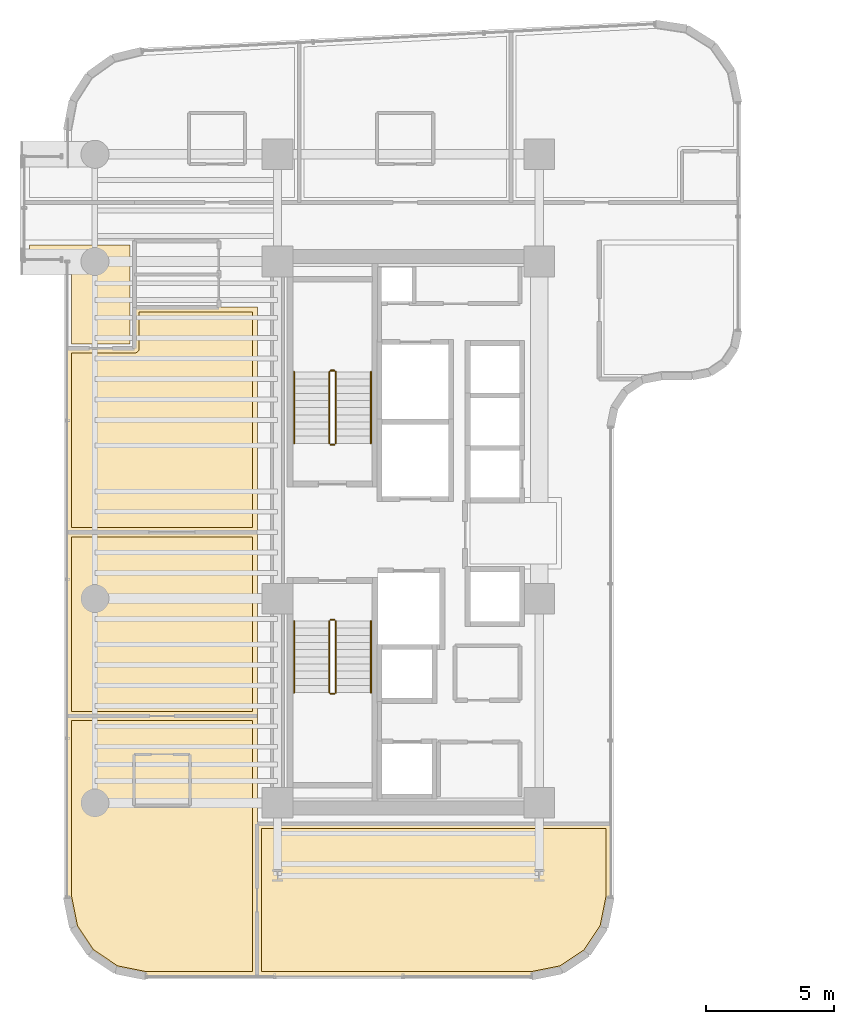
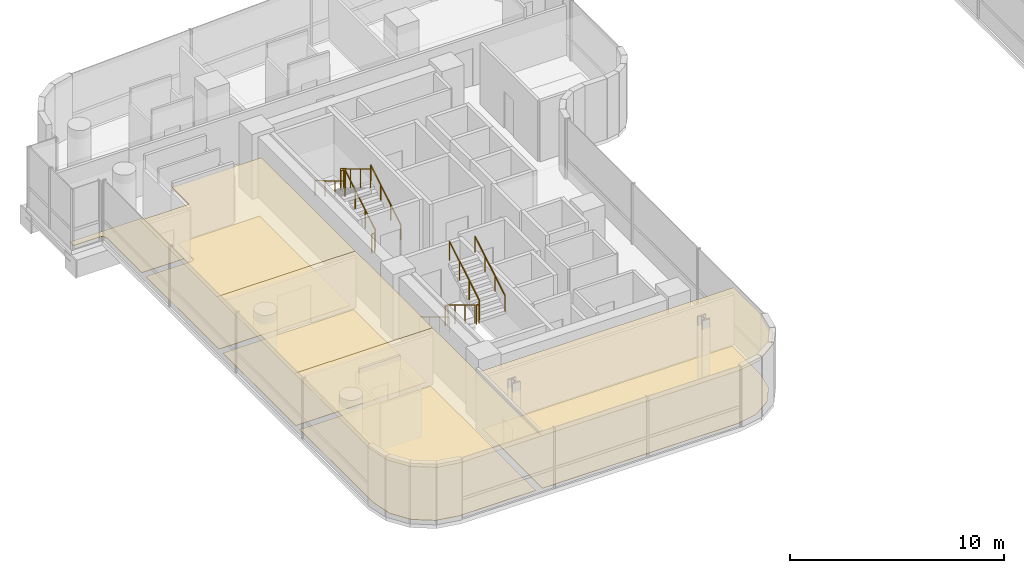
# One storey, part 30 of 33: 12 railings, 9 coverings.
"""IFC4 building model written with IfcOpenShell, lengths in metres."""

from ifc_helpers import new_model, si_unit, direction, frame, origin, origin_2d, place, context, subcontext, project, spatial, polyline, circle, outline, extrude, material, layer, layer_set, type_object, element, save


model = new_model("IFC4")

# Units and contexts
model_context = context("Model", 3, precision=1e-05, world=origin(), true_north=direction((0.0, 1.0)))
body_context = subcontext(model_context, "Body", "Model", "MODEL_VIEW")
ifc_project = project(units=[si_unit("LENGTHUNIT", "METRE"), si_unit("AREAUNIT", "SQUARE_METRE"), si_unit("VOLUMEUNIT", "CUBIC_METRE"), si_unit("PLANEANGLEUNIT", "RADIAN"), si_unit("MASSUNIT", "GRAM", prefix="KILO")], contexts=[model_context])

# Site, building, storey
site_placement = place(None, origin())
site = spatial("IfcSite", under=ifc_project, at=site_placement, CompositionType="ELEMENT")
building_placement = place(site_placement, origin())
building = spatial("IfcBuilding", under=site, at=building_placement, Name="Valdorenza Pilgrim Sanctuary Tower", CompositionType="ELEMENT")
storey_placement = place(building_placement, frame((0.0, 0.0, 157.5)))
storey = spatial("IfcBuildingStorey", under=building, at=storey_placement, Name="L40", CompositionType="ELEMENT", Elevation=157.5)

# Coverings
ifc_material_1 = material(Name="Micro-perforated acoustic mineral ceiling tile", Category="gypsum")
ifc_layer_1 = layer(ifc_material_1, 0.02490234375, Name="Micro-perforated acoustic mineral ceiling tile")
ifc_layer_set_1 = layer_set([ifc_layer_1], Name="Micro-perforated acoustic mineral ceiling tile")
covering_type_1 = type_object("IfcCoveringType", Name="COV-CLG-ACU", PredefinedType="CEILING", material=ifc_layer_set_1)
covering_1_placement = place(storey_placement, frame((0.0, 0.0, 3.159912109375)))
element("IfcCovering", 1, at=covering_1_placement, inside=storey, type_object=covering_type_1, Name="L40 Pilgrim Guest Room L40-CS1 Acoustic Ceiling", PredefinedType="CEILING", context=body_context, shape_type="SweptSolid", body=[
    extrude(outline(polyline([(-23.449951171875, -7.18505859375), (-23.448486328125, -7.18505859375), (-23.447021484375, -7.185302734375), (-23.445556640625, -7.185546875), (-23.4443359375, -7.18603515625), (-23.44287109375, -7.186767578125), (-23.441650390625, -7.1875), (-23.4404296875, -7.1884765625), (-23.439453125, -7.189453125), (-23.4384765625, -7.1904296875), (-23.4375, -7.191650390625), (-23.436767578125, -7.19287109375), (-23.43603515625, -7.1943359375), (-23.435546875, -7.195556640625), (-23.435302734375, -7.197021484375), (-23.43505859375, -7.198486328125), (-23.43505859375, -7.199951171875), (-23.43505859375, -17.389892578125), (-23.43505859375, -17.3916015625), (-23.435302734375, -17.392822265625), (-23.435546875, -17.394287109375), (-23.43603515625, -17.395751953125), (-23.436767578125, -17.397216796875), (-23.4375, -17.398193359375), (-23.4384765625, -17.3994140625), (-23.439453125, -17.400634765625), (-23.4404296875, -17.401611328125), (-23.441650390625, -17.402587890625), (-23.44287109375, -17.4033203125), (-23.4443359375, -17.40380859375), (-23.445556640625, -17.404296875), (-23.447021484375, -17.40478515625), (-23.448486328125, -17.40478515625), (-23.449951171875, -17.405029296875), (-27.789306640625, -17.405029296875), (-27.79052734375, -17.40478515625), (-27.7919921875, -17.40478515625), (-28.984619140625, -17.16748046875), (-28.986083984375, -17.1669921875), (-28.9873046875, -17.16650390625), (-28.98876953125, -17.166015625), (-28.989990234375, -17.165283203125), (-29.99169921875, -16.495849609375), (-29.992919921875, -16.4951171875), (-29.993896484375, -16.493896484375), (-29.9951171875, -16.492919921875), (-29.995849609375, -16.49169921875), (-30.665283203125, -15.489990234375), (-30.666015625, -15.48876953125), (-30.66650390625, -15.4873046875), (-30.6669921875, -15.486083984375), (-30.66748046875, -15.484619140625), (-30.90478515625, -14.2919921875), (-30.90478515625, -14.29052734375), (-30.905029296875, -14.289306640625), (-30.905029296875, -7.199951171875), (-30.90478515625, -7.198486328125), (-30.90478515625, -7.197021484375), (-30.904296875, -7.195556640625), (-30.90380859375, -7.1943359375), (-30.9033203125, -7.19287109375), (-30.902587890625, -7.191650390625), (-30.901611328125, -7.1904296875), (-30.900634765625, -7.189453125), (-30.8994140625, -7.1884765625), (-30.898193359375, -7.1875), (-30.897216796875, -7.186767578125), (-30.895751953125, -7.18603515625), (-30.894287109375, -7.185546875), (-30.892822265625, -7.185302734375), (-30.8916015625, -7.18505859375), (-30.889892578125, -7.18505859375), (-23.449951171875, -7.18505859375)])), origin(), (0.0, 0.0, 1.0), 0.025146484375),
])
covering_2_placement = place(storey_placement, frame((0.0, 0.0, 3.159912109375)))
element("IfcCovering", 2, at=covering_2_placement, inside=storey, type_object=covering_type_1, Name="L40 South Contemplation Salon L40 Acoustic Ceiling", PredefinedType="CEILING", context=body_context, shape_type="SweptSolid", body=[
    extrude(outline(polyline([(-23.43505859375, -7.197998046875), (-23.43505859375, -7.199462890625), (-23.435302734375, -7.200927734375), (-23.435546875, -7.202392578125), (-23.43603515625, -7.20361328125), (-23.436767578125, -7.205078125), (-23.4375, -7.206298828125), (-23.4384765625, -7.20751953125), (-23.439453125, -7.20849609375), (-23.4404296875, -7.209716796875), (-23.441650390625, -7.21044921875), (-23.44287109375, -7.211181640625), (-23.4443359375, -7.2119140625), (-23.445556640625, -7.21240234375), (-23.447021484375, -7.212646484375), (-23.448486328125, -7.212890625), (-23.449951171875, -7.212890625), (-30.889892578125, -7.212890625), (-30.8916015625, -7.212890625), (-30.892822265625, -7.212646484375), (-30.894287109375, -7.21240234375), (-30.895751953125, -7.2119140625), (-30.897216796875, -7.211181640625), (-30.898193359375, -7.21044921875), (-30.8994140625, -7.209716796875), (-30.900634765625, -7.20849609375), (-30.901611328125, -7.20751953125), (-30.902587890625, -7.206298828125), (-30.9033203125, -7.205078125), (-30.90380859375, -7.20361328125), (-30.904296875, -7.202392578125), (-30.90478515625, -7.200927734375), (-30.90478515625, -7.199462890625), (-30.905029296875, -7.197998046875), (-30.905029296875, 0.0), (-30.90478515625, 0.00146484375), (-30.90478515625, 0.0029296875), (-30.904296875, 0.00439453125), (-30.90380859375, 0.005615234375), (-30.9033203125, 0.007080078125), (-30.902587890625, 0.00830078125), (-30.901611328125, 0.009521484375), (-30.900634765625, 0.010498046875), (-30.8994140625, 0.01171875), (-30.898193359375, 0.012451171875), (-30.897216796875, 0.01318359375), (-30.895751953125, 0.013916015625), (-30.894287109375, 0.014404296875), (-30.892822265625, 0.0146484375), (-30.8916015625, 0.014892578125), (-30.889892578125, 0.014892578125), (-23.449951171875, 0.014892578125), (-23.448486328125, 0.014892578125), (-23.447021484375, 0.0146484375), (-23.445556640625, 0.014404296875), (-23.4443359375, 0.013916015625), (-23.44287109375, 0.01318359375), (-23.441650390625, 0.012451171875), (-23.4404296875, 0.01171875), (-23.439453125, 0.010498046875), (-23.4384765625, 0.009521484375), (-23.4375, 0.00830078125), (-23.436767578125, 0.007080078125), (-23.43603515625, 0.005615234375), (-23.435546875, 0.00439453125), (-23.435302734375, 0.0029296875), (-23.43505859375, 0.00146484375), (-23.43505859375, 0.0), (-23.43505859375, -7.197998046875)])), origin(), (0.0, 0.0, 1.0), 0.025146484375),
])
covering_3_placement = place(storey_placement, frame((0.0, 0.0, 3.159912109375)))
element("IfcCovering", 3, at=covering_3_placement, inside=storey, type_object=covering_type_1, Name="L40 North Contemplation Salon L40 Acoustic Ceiling", PredefinedType="CEILING", context=body_context, shape_type="SweptSolid", body=[
    extrude(outline(polyline([(-28.262939453125, 7.212890625), (-28.262939453125, 8.798095703125), (-28.262939453125, 8.799560546875), (-28.2626953125, 8.80078125), (-28.262451171875, 8.802490234375), (-28.261962890625, 8.8037109375), (-28.26123046875, 8.80517578125), (-28.260498046875, 8.806396484375), (-28.259521484375, 8.8076171875), (-28.258544921875, 8.80859375), (-28.257568359375, 8.8095703125), (-28.25634765625, 8.810546875), (-28.255126953125, 8.811279296875), (-28.253662109375, 8.81201171875), (-28.25244140625, 8.8125), (-28.2509765625, 8.812744140625), (-28.24951171875, 8.81298828125), (-28.248046875, 8.81298828125), (-24.955322265625, 8.81298828125), (-24.954833984375, 8.813232421875), (-24.95361328125, 8.81396484375), (-24.9521484375, 8.814453125), (-24.95068359375, 8.814697265625), (-24.949462890625, 8.81494140625), (-24.947998046875, 8.81494140625), (-23.449951171875, 8.81494140625), (-23.448486328125, 8.81494140625), (-23.447021484375, 8.814697265625), (-23.445556640625, 8.814453125), (-23.4443359375, 8.81396484375), (-23.44287109375, 8.813232421875), (-23.441650390625, 8.8125), (-23.4404296875, 8.8115234375), (-23.439453125, 8.810546875), (-23.4384765625, 8.8095703125), (-23.4375, 8.808349609375), (-23.436767578125, 8.80712890625), (-23.43603515625, 8.8056640625), (-23.435546875, 8.804443359375), (-23.435302734375, 8.802978515625), (-23.43505859375, 8.801513671875), (-23.43505859375, 8.800048828125), (-23.43505859375, 0.001953125), (-23.43505859375, 0.00048828125), (-23.435302734375, -0.0009765625), (-23.435546875, -0.00244140625), (-23.43603515625, -0.003662109375), (-23.436767578125, -0.005126953125), (-23.4375, -0.00634765625), (-23.4384765625, -0.007568359375), (-23.439453125, -0.008544921875), (-23.4404296875, -0.009521484375), (-23.441650390625, -0.010498046875), (-23.44287109375, -0.01123046875), (-23.4443359375, -0.011962890625), (-23.445556640625, -0.012451171875), (-23.447021484375, -0.0126953125), (-23.448486328125, -0.012939453125), (-23.449951171875, -0.012939453125), (-30.889892578125, -0.012939453125), (-30.8916015625, -0.012939453125), (-30.892822265625, -0.0126953125), (-30.894287109375, -0.012451171875), (-30.895751953125, -0.011962890625), (-30.897216796875, -0.01123046875), (-30.898193359375, -0.010498046875), (-30.8994140625, -0.009521484375), (-30.900634765625, -0.008544921875), (-30.901611328125, -0.007568359375), (-30.902587890625, -0.00634765625), (-30.9033203125, -0.005126953125), (-30.90380859375, -0.003662109375), (-30.904296875, -0.00244140625), (-30.90478515625, -0.0009765625), (-30.90478515625, 0.00048828125), (-30.905029296875, 0.001953125), (-30.905029296875, 7.197998046875), (-30.90478515625, 7.199462890625), (-30.90478515625, 7.200927734375), (-30.904296875, 7.202392578125), (-30.90380859375, 7.20361328125), (-30.9033203125, 7.205078125), (-30.902587890625, 7.206298828125), (-30.901611328125, 7.20751953125), (-30.900634765625, 7.20849609375), (-30.8994140625, 7.209716796875), (-30.898193359375, 7.21044921875), (-30.897216796875, 7.211181640625), (-30.895751953125, 7.2119140625), (-30.894287109375, 7.21240234375), (-30.892822265625, 7.212646484375), (-30.8916015625, 7.212890625), (-30.889892578125, 7.212890625), (-28.262939453125, 7.212890625)])), origin(), (0.0, 0.0, 1.0), 0.025146484375),
])
covering_4_placement = place(storey_placement, frame((0.0, 0.0, 3.159912109375)))
element("IfcCovering", 4, at=covering_4_placement, inside=storey, type_object=covering_type_1, Name="L40 South Panoramic Viewing Salon L40 Acoustic Ceiling", PredefinedType="CEILING", context=body_context, shape_type="SweptSolid", body=[
    extrude(outline(polyline([(-9.610107421875, -11.405029296875), (-9.6083984375, -11.405029296875), (-9.607177734375, -11.4052734375), (-9.605712890625, -11.405517578125), (-9.604248046875, -11.406005859375), (-9.602783203125, -11.40673828125), (-9.601806640625, -11.407470703125), (-9.6005859375, -11.408447265625), (-9.599365234375, -11.409423828125), (-9.598388671875, -11.410400390625), (-9.597412109375, -11.41162109375), (-9.5966796875, -11.412841796875), (-9.59619140625, -11.414306640625), (-9.595703125, -11.41552734375), (-9.59521484375, -11.4169921875), (-9.59521484375, -11.41845703125), (-9.594970703125, -11.419921875), (-9.594970703125, -14.289306640625), (-9.59521484375, -14.29052734375), (-9.59521484375, -14.2919921875), (-9.83251953125, -15.484619140625), (-9.8330078125, -15.486083984375), (-9.83349609375, -15.4873046875), (-9.833984375, -15.48876953125), (-9.834716796875, -15.489990234375), (-10.504150390625, -16.49169921875), (-10.5048828125, -16.492919921875), (-10.506103515625, -16.493896484375), (-10.507080078125, -16.4951171875), (-10.50830078125, -16.495849609375), (-11.510009765625, -17.165283203125), (-11.51123046875, -17.166015625), (-11.5126953125, -17.16650390625), (-11.513916015625, -17.1669921875), (-11.515380859375, -17.16748046875), (-12.7080078125, -17.40478515625), (-12.70947265625, -17.40478515625), (-12.710693359375, -17.405029296875), (-23.447998046875, -17.405029296875), (-23.449462890625, -17.40478515625), (-23.450927734375, -17.40478515625), (-23.452392578125, -17.404296875), (-23.45361328125, -17.40380859375), (-23.455078125, -17.4033203125), (-23.456298828125, -17.402587890625), (-23.45751953125, -17.401611328125), (-23.45849609375, -17.400634765625), (-23.459716796875, -17.3994140625), (-23.46044921875, -17.398193359375), (-23.461181640625, -17.397216796875), (-23.4619140625, -17.395751953125), (-23.46240234375, -17.394287109375), (-23.462646484375, -17.392822265625), (-23.462890625, -17.3916015625), (-23.462890625, -17.389892578125), (-23.462890625, -11.419921875), (-23.462890625, -11.41845703125), (-23.462646484375, -11.4169921875), (-23.46240234375, -11.41552734375), (-23.4619140625, -11.414306640625), (-23.461181640625, -11.412841796875), (-23.46044921875, -11.41162109375), (-23.459716796875, -11.410400390625), (-23.45849609375, -11.409423828125), (-23.45751953125, -11.408447265625), (-23.456298828125, -11.407470703125), (-23.455078125, -11.40673828125), (-23.45361328125, -11.406005859375), (-23.452392578125, -11.405517578125), (-23.450927734375, -11.4052734375), (-23.449462890625, -11.405029296875), (-23.447998046875, -11.405029296875), (-9.610107421875, -11.405029296875)])), origin(), (0.0, 0.0, 1.0), 0.025146484375),
])
ifc_material_2 = material(Name="Engineered European oak timber flooring", Category="wood")
ifc_layer_2 = layer(ifc_material_2, 0.02197265625, Name="Engineered European oak timber flooring")
ifc_layer_set_2 = layer_set([ifc_layer_2], Name="Engineered European oak timber flooring")
covering_type_2 = type_object("IfcCoveringType", Name="COV-FLR-OAK", PredefinedType="FLOORING", material=ifc_layer_set_2)
covering_5_placement = place(storey_placement, origin())
element("IfcCovering", 5, at=covering_5_placement, inside=storey, type_object=covering_type_2, Name="L40 Pilgrim Guest Room L40-CS1 Flooring", PredefinedType="FLOORING", context=body_context, shape_type="SweptSolid", body=[
    extrude(outline(polyline([(-23.6298828125, -7.3798828125), (-23.6298828125, -17.2099609375), (-27.771484375, -17.2099609375), (-28.911376953125, -16.983154296875), (-29.853515625, -16.353515625), (-30.483154296875, -15.411376953125), (-30.7099609375, -14.271484375), (-30.7099609375, -7.3798828125), (-23.6298828125, -7.3798828125)])), origin(), (0.0, 0.0, 1.0), 0.02490234375),
])
ifc_material_3 = material(Name="Honed travertine stone flooring", Category="masonry")
ifc_layer_3 = layer(ifc_material_3, 0.030029296875, Name="Honed travertine stone flooring")
ifc_layer_set_3 = layer_set([ifc_layer_3], Name="Honed travertine stone flooring")
covering_type_3 = type_object("IfcCoveringType", Name="COV-FLR-TRV", PredefinedType="FLOORING", material=ifc_layer_set_3)
covering_6_placement = place(storey_placement, origin())
element("IfcCovering", 6, at=covering_6_placement, inside=storey, type_object=covering_type_3, Name="L40 Pastoral Scholar Office L40-CN1 Flooring", PredefinedType="FLOORING", context=body_context, shape_type="SweptSolid", body=[
    extrude(outline(polyline([(-28.431884765625, 11.239990234375), (-28.431884765625, 10.10205078125), (-28.431884765625, 10.10107421875), (-28.431884765625, 10.100341796875), (-28.431884765625, 10.10009765625), (-28.431884765625, 8.800048828125), (-28.431884765625, 8.7998046875), (-28.43017578125, 7.3798828125), (-30.7099609375, 7.3798828125), (-30.7099609375, 10.60009765625), (-30.710205078125, 10.60888671875), (-30.710693359375, 10.61962890625), (-30.71240234375, 10.63720703125), (-30.714111328125, 10.64794921875), (-30.717529296875, 10.665283203125), (-30.72021484375, 10.67578125), (-30.725341796875, 10.692626953125), (-30.72900390625, 10.70263671875), (-30.735595703125, 10.718994140625), (-30.740234375, 10.728759765625), (-30.74853515625, 10.744384765625), (-30.754150390625, 10.753662109375), (-30.763916015625, 10.768310546875), (-30.7705078125, 10.777099609375), (-30.781494140625, 10.790771484375), (-30.788818359375, 10.798583984375), (-30.80126953125, 10.811279296875), (-30.809326171875, 10.818359375), (-30.822998046875, 10.82958984375), (-30.831787109375, 10.8359375), (-30.84619140625, 10.845947265625), (-30.855712890625, 10.851318359375), (-30.87109375, 10.859619140625), (-30.880859375, 10.8642578125), (-30.897216796875, 10.87109375), (-30.907470703125, 10.874755859375), (-30.92431640625, 10.8798828125), (-30.934814453125, 10.882568359375), (-30.9521484375, 10.885986328125), (-30.962890625, 10.887451171875), (-30.98046875, 10.889404296875), (-30.9912109375, 10.889892578125), (-31.0, 10.889892578125), (-32.360107421875, 10.889892578125), (-32.360107421875, 11.239990234375), (-28.431884765625, 11.239990234375)])), origin(), (0.0, 0.0, 1.0), 0.02490234375),
])
covering_7_placement = place(storey_placement, origin())
element("IfcCovering", 7, at=covering_7_placement, inside=storey, type_object=covering_type_3, Name="L40 South Contemplation Salon L40 Flooring", PredefinedType="FLOORING", context=body_context, shape_type="SweptSolid", body=[
    extrude(outline(polyline([(-23.6298828125, -7.01806640625), (-30.7099609375, -7.01806640625), (-30.7099609375, -0.179931640625), (-23.6298828125, -0.179931640625), (-23.6298828125, -7.01806640625)])), origin(), (0.0, 0.0, 1.0), 0.02490234375),
])
covering_8_placement = place(storey_placement, origin())
element("IfcCovering", 8, at=covering_8_placement, inside=storey, type_object=covering_type_3, Name="L40 North Contemplation Salon L40 Flooring", PredefinedType="FLOORING", context=body_context, shape_type="SweptSolid", body=[
    extrude(outline(polyline([(-23.6298828125, 8.619873046875), (-23.6298828125, 0.181884765625), (-30.7099609375, 0.181884765625), (-30.7099609375, 7.01806640625), (-28.25, 7.01806640625), (-28.2412109375, 7.018310546875), (-28.240966796875, 7.018310546875), (-28.223388671875, 7.02001953125), (-28.22314453125, 7.02001953125), (-28.205810546875, 7.0234375), (-28.205810546875, 7.0234375), (-28.188720703125, 7.028564453125), (-28.188720703125, 7.02880859375), (-28.17236328125, 7.035400390625), (-28.172119140625, 7.035400390625), (-28.156494140625, 7.043701171875), (-28.156494140625, 7.0439453125), (-28.1416015625, 7.0537109375), (-28.1416015625, 7.053955078125), (-28.1279296875, 7.065185546875), (-28.127685546875, 7.065185546875), (-28.115234375, 7.07763671875), (-28.114990234375, 7.077880859375), (-28.10400390625, 7.091552734375), (-28.103759765625, 7.091796875), (-28.093994140625, 7.1064453125), (-28.09375, 7.1064453125), (-28.08544921875, 7.1220703125), (-28.08544921875, 7.122314453125), (-28.07861328125, 7.138671875), (-28.07861328125, 7.138916015625), (-28.073486328125, 7.15576171875), (-28.073486328125, 7.156005859375), (-28.070068359375, 7.173095703125), (-28.070068359375, 7.17333984375), (-28.068115234375, 7.19091796875), (-28.068115234375, 7.191162109375), (-28.068115234375, 7.199951171875), (-28.068115234375, 8.617919921875), (-24.949951171875, 8.617919921875), (-24.94970703125, 8.617919921875), (-23.6298828125, 8.619873046875)])), origin(), (0.0, 0.0, 1.0), 0.02490234375),
])
covering_9_placement = place(storey_placement, origin())
element("IfcCovering", 9, at=covering_9_placement, inside=storey, type_object=covering_type_3, Name="L40 South Panoramic Viewing Salon L40 Flooring", PredefinedType="FLOORING", context=body_context, shape_type="SweptSolid", body=[
    extrude(outline(polyline([(-9.7900390625, -11.60009765625), (-9.7900390625, -14.271484375), (-10.016845703125, -15.411376953125), (-10.646484375, -16.353515625), (-11.588623046875, -16.983154296875), (-12.728515625, -17.2099609375), (-23.26806640625, -17.2099609375), (-23.26806640625, -11.60009765625), (-9.7900390625, -11.60009765625)])), origin(), (0.0, 0.0, 1.0), 0.02490234375),
])

# Railings
ifc_material_4 = material(Name="Stainless steel Grade 316", Category="steel")
railing_type_1 = type_object("IfcRailingType", Name="RLG-GRD-1120", PredefinedType="GUARDRAIL", material=ifc_material_4)
railing_1_placement = place(storey_placement, frame((-20.3701171875, 3.47998046875, 0.168212890625)))
element("IfcRailing", 10, at=railing_1_placement, inside=storey, type_object=railing_type_1, Name="L40 ST-A1 stair guard 1", PredefinedType="GUARDRAIL", context=body_context, shape_type="SweptSolid", body=[
    extrude(circle(Radius=0.02392578125, at=origin_2d()), frame((0.0, 0.0, 1.076171875), z_axis=(0.0, 0.857242210791, 0.514913383045), x_axis=(-1.0, 0.0, 0.0)), (0.0, 0.0, 1.0), 3.266357421875),
    extrude(circle(Radius=0.02099609375, at=origin_2d()), origin(), (0.0, 0.0, 1.0), 1.052001953125),
    extrude(circle(Radius=0.02099609375, at=origin_2d()), frame((0.0, 0.933349609375, 0.560546875)), (0.0, 0.0, 1.0), 1.052001953125),
    extrude(circle(Radius=0.02099609375, at=origin_2d()), frame((0.0, 1.86669921875, 1.121337890625)), (0.0, 0.0, 1.0), 1.052001953125),
    extrude(circle(Radius=0.02099609375, at=origin_2d()), frame((0.0, 2.800048828125, 1.681884765625)), (0.0, 0.0, 1.0), 1.052001953125),
])
railing_2_placement = place(storey_placement, frame((-20.419921875, 6.330078125, 1.85009765625)))
element("IfcRailing", 11, at=railing_2_placement, inside=storey, type_object=railing_type_1, Name="L40 ST-A1 stair guard 2", PredefinedType="GUARDRAIL", context=body_context, shape_type="SweptSolid", body=[
    extrude(circle(Radius=0.02392578125, at=origin_2d()), frame((0.0, 0.0, 1.076171875), z_axis=(-1.0, 0.0, 0.0), x_axis=(0.0, -1.0, 0.0)), (0.0, 0.0, 1.0), 0.150146484375),
    extrude(circle(Radius=0.02099609375, at=origin_2d()), origin(), (0.0, 0.0, 1.0), 1.052001953125),
    extrude(circle(Radius=0.02099609375, at=origin_2d()), frame((-0.150146484375, 0.0, 0.0)), (0.0, 0.0, 1.0), 1.052001953125),
])
railing_3_placement = place(storey_placement, frame((-20.6201171875, 6.280029296875, 2.01806640625)))
element("IfcRailing", 12, at=railing_3_placement, inside=storey, type_object=railing_type_1, Name="L40 ST-A1 stair guard 3", PredefinedType="GUARDRAIL", context=body_context, shape_type="SweptSolid", body=[
    extrude(circle(Radius=0.02392578125, at=origin_2d()), frame((0.0, 0.0, 1.076171875), z_axis=(0.0, -0.857242210791, 0.514913383045), x_axis=(1.0, 0.0, 0.0)), (0.0, 0.0, 1.0), 3.266357421875),
    extrude(circle(Radius=0.02099609375, at=origin_2d()), origin(), (0.0, 0.0, 1.0), 1.052001953125),
    extrude(circle(Radius=0.02099609375, at=origin_2d()), frame((0.0, -0.933349609375, 0.560546875)), (0.0, 0.0, 1.0), 1.052001953125),
    extrude(circle(Radius=0.02099609375, at=origin_2d()), frame((0.0, -1.86669921875, 1.121337890625)), (0.0, 0.0, 1.0), 1.052001953125),
    extrude(circle(Radius=0.02099609375, at=origin_2d()), frame((0.0, -2.800048828125, 1.681884765625)), (0.0, 0.0, 1.0), 1.052001953125),
])
railing_4_placement = place(storey_placement, frame((-20.419921875, 3.429931640625, 0.0)))
element("IfcRailing", 13, at=railing_4_placement, inside=storey, type_object=railing_type_1, Name="L40 ST-A1 stair guard 4", PredefinedType="GUARDRAIL", context=body_context, shape_type="SweptSolid", body=[
    extrude(circle(Radius=0.02392578125, at=origin_2d()), frame((0.0, 0.0, 1.076171875), z_axis=(-1.0, 0.0, 0.0), x_axis=(0.0, -1.0, 0.0)), (0.0, 0.0, 1.0), 0.150146484375),
    extrude(circle(Radius=0.02099609375, at=origin_2d()), origin(), (0.0, 0.0, 1.0), 1.052001953125),
    extrude(circle(Radius=0.02099609375, at=origin_2d()), frame((-0.150146484375, 0.0, 0.0)), (0.0, 0.0, 1.0), 1.052001953125),
])
railing_5_placement = place(storey_placement, frame((-20.6201171875, -3.47998046875, 0.168212890625)))
element("IfcRailing", 14, at=railing_5_placement, inside=storey, type_object=railing_type_1, Name="L40 ST-A2 stair guard 1", PredefinedType="GUARDRAIL", context=body_context, shape_type="SweptSolid", body=[
    extrude(circle(Radius=0.02392578125, at=origin_2d()), frame((0.0, 0.0, 1.076171875), z_axis=(0.0, -0.857242210791, 0.514913383045), x_axis=(1.0, 0.0, 0.0)), (0.0, 0.0, 1.0), 3.266357421875),
    extrude(circle(Radius=0.02099609375, at=origin_2d()), origin(), (0.0, 0.0, 1.0), 1.052001953125),
    extrude(circle(Radius=0.02099609375, at=origin_2d()), frame((0.0, -0.933349609375, 0.560546875)), (0.0, 0.0, 1.0), 1.052001953125),
    extrude(circle(Radius=0.02099609375, at=origin_2d()), frame((0.0, -1.86669921875, 1.121337890625)), (0.0, 0.0, 1.0), 1.052001953125),
    extrude(circle(Radius=0.02099609375, at=origin_2d()), frame((0.0, -2.800048828125, 1.681884765625)), (0.0, 0.0, 1.0), 1.052001953125),
])
railing_6_placement = place(storey_placement, frame((-20.570068359375, -6.330078125, 1.85009765625)))
element("IfcRailing", 15, at=railing_6_placement, inside=storey, type_object=railing_type_1, Name="L40 ST-A2 stair guard 2", PredefinedType="GUARDRAIL", context=body_context, shape_type="SweptSolid", body=[
    extrude(circle(Radius=0.02392578125, at=origin_2d()), frame((0.0, 0.0, 1.076171875), z_axis=(1.0, 0.0, 0.0), x_axis=(0.0, 1.0, 0.0)), (0.0, 0.0, 1.0), 0.150146484375),
    extrude(circle(Radius=0.02099609375, at=origin_2d()), origin(), (0.0, 0.0, 1.0), 1.052001953125),
    extrude(circle(Radius=0.02099609375, at=origin_2d()), frame((0.150146484375, 0.0, 0.0)), (0.0, 0.0, 1.0), 1.052001953125),
])
railing_7_placement = place(storey_placement, frame((-20.3701171875, -6.280029296875, 2.01806640625)))
element("IfcRailing", 16, at=railing_7_placement, inside=storey, type_object=railing_type_1, Name="L40 ST-A2 stair guard 3", PredefinedType="GUARDRAIL", context=body_context, shape_type="SweptSolid", body=[
    extrude(circle(Radius=0.02392578125, at=origin_2d()), frame((0.0, 0.0, 1.076171875), z_axis=(0.0, 0.857242210791, 0.514913383045), x_axis=(-1.0, 0.0, 0.0)), (0.0, 0.0, 1.0), 3.266357421875),
    extrude(circle(Radius=0.02099609375, at=origin_2d()), origin(), (0.0, 0.0, 1.0), 1.052001953125),
    extrude(circle(Radius=0.02099609375, at=origin_2d()), frame((0.0, 0.933349609375, 0.560546875)), (0.0, 0.0, 1.0), 1.052001953125),
    extrude(circle(Radius=0.02099609375, at=origin_2d()), frame((0.0, 1.86669921875, 1.121337890625)), (0.0, 0.0, 1.0), 1.052001953125),
    extrude(circle(Radius=0.02099609375, at=origin_2d()), frame((0.0, 2.800048828125, 1.681884765625)), (0.0, 0.0, 1.0), 1.052001953125),
])
railing_8_placement = place(storey_placement, frame((-20.570068359375, -3.429931640625, 0.0)))
element("IfcRailing", 17, at=railing_8_placement, inside=storey, type_object=railing_type_1, Name="L40 ST-A2 stair guard 4", PredefinedType="GUARDRAIL", context=body_context, shape_type="SweptSolid", body=[
    extrude(circle(Radius=0.02392578125, at=origin_2d()), frame((0.0, 0.0, 1.076171875), z_axis=(1.0, 0.0, 0.0), x_axis=(0.0, 1.0, 0.0)), (0.0, 0.0, 1.0), 0.150146484375),
    extrude(circle(Radius=0.02099609375, at=origin_2d()), origin(), (0.0, 0.0, 1.0), 1.052001953125),
    extrude(circle(Radius=0.02099609375, at=origin_2d()), frame((0.150146484375, 0.0, 0.0)), (0.0, 0.0, 1.0), 1.052001953125),
])
ifc_material_5 = material(Name="Brushed stainless steel Grade 316", Category="steel")
railing_type_2 = type_object("IfcRailingType", Name="RLG-HND-920", PredefinedType="HANDRAIL", material=ifc_material_5)
railing_9_placement = place(storey_placement, frame((-18.989990234375, 3.47998046875, 0.168212890625)))
element("IfcRailing", 18, at=railing_9_placement, inside=storey, type_object=railing_type_2, Name="L40 ST-A1 stair handrail 1", PredefinedType="HANDRAIL", context=body_context, shape_type="SweptSolid", body=[
    extrude(circle(Radius=0.02392578125, at=origin_2d()), frame((0.0, 0.0, 0.8759765625), z_axis=(0.0, 0.857242210791, 0.514913383045), x_axis=(-1.0, 0.0, 0.0)), (0.0, 0.0, 1.0), 3.266357421875),
    extrude(circle(Radius=0.02099609375, at=origin_2d()), origin(), (0.0, 0.0, 1.0), 0.851806640625),
    extrude(circle(Radius=0.02099609375, at=origin_2d()), frame((0.0, 0.933349609375, 0.560546875)), (0.0, 0.0, 1.0), 0.851806640625),
    extrude(circle(Radius=0.02099609375, at=origin_2d()), frame((0.0, 1.86669921875, 1.121337890625)), (0.0, 0.0, 1.0), 0.851806640625),
    extrude(circle(Radius=0.02099609375, at=origin_2d()), frame((0.0, 2.800048828125, 1.681884765625)), (0.0, 0.0, 1.0), 0.851806640625),
])
for number, where, name in (
    (19, (-22.0, 6.280029296875, 2.01806640625), "L40 ST-A1 stair handrail 2"),
    (20, (-22.0, -3.47998046875, 0.168212890625), "L40 ST-A2 stair handrail 1"),
):
    element("IfcRailing", number, at=place(storey_placement, frame(where)), inside=storey, type_object=railing_type_2, Name=name, PredefinedType="HANDRAIL", context=body_context, shape_type="SweptSolid", body=[
        extrude(circle(Radius=0.02392578125, at=origin_2d()), frame((0.0, 0.0, 0.8759765625), z_axis=(0.0, -0.857242210791, 0.514913383045), x_axis=(1.0, 0.0, 0.0)), (0.0, 0.0, 1.0), 3.266357421875),
        extrude(circle(Radius=0.02099609375, at=origin_2d()), origin(), (0.0, 0.0, 1.0), 0.851806640625),
        extrude(circle(Radius=0.02099609375, at=origin_2d()), frame((0.0, -0.933349609375, 0.560546875)), (0.0, 0.0, 1.0), 0.851806640625),
        extrude(circle(Radius=0.02099609375, at=origin_2d()), frame((0.0, -1.86669921875, 1.121337890625)), (0.0, 0.0, 1.0), 0.851806640625),
        extrude(circle(Radius=0.02099609375, at=origin_2d()), frame((0.0, -2.800048828125, 1.681884765625)), (0.0, 0.0, 1.0), 0.851806640625),
    ])
railing_10_placement = place(storey_placement, frame((-18.989990234375, -6.280029296875, 2.01806640625)))
element("IfcRailing", 21, at=railing_10_placement, inside=storey, type_object=railing_type_2, Name="L40 ST-A2 stair handrail 2", PredefinedType="HANDRAIL", context=body_context, shape_type="SweptSolid", body=[
    extrude(circle(Radius=0.02392578125, at=origin_2d()), frame((0.0, 0.0, 0.8759765625), z_axis=(0.0, 0.857242210791, 0.514913383045), x_axis=(-1.0, 0.0, 0.0)), (0.0, 0.0, 1.0), 3.266357421875),
    extrude(circle(Radius=0.02099609375, at=origin_2d()), origin(), (0.0, 0.0, 1.0), 0.851806640625),
    extrude(circle(Radius=0.02099609375, at=origin_2d()), frame((0.0, 0.933349609375, 0.560546875)), (0.0, 0.0, 1.0), 0.851806640625),
    extrude(circle(Radius=0.02099609375, at=origin_2d()), frame((0.0, 1.86669921875, 1.121337890625)), (0.0, 0.0, 1.0), 0.851806640625),
    extrude(circle(Radius=0.02099609375, at=origin_2d()), frame((0.0, 2.800048828125, 1.681884765625)), (0.0, 0.0, 1.0), 0.851806640625),
])

save(model, "model.ifc")
